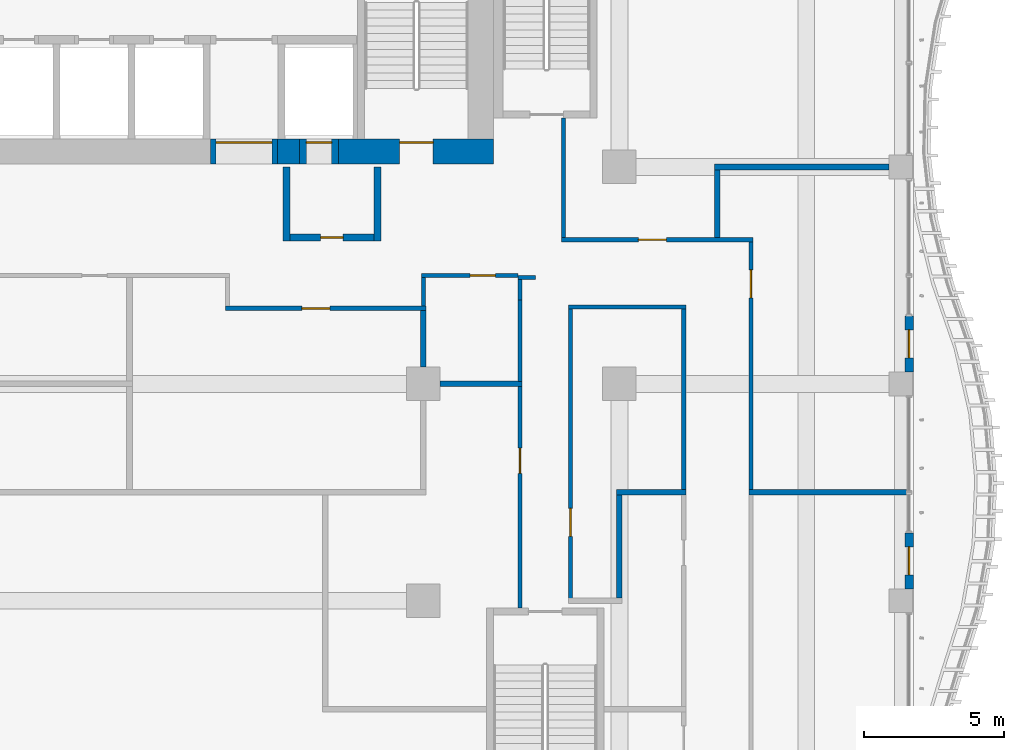
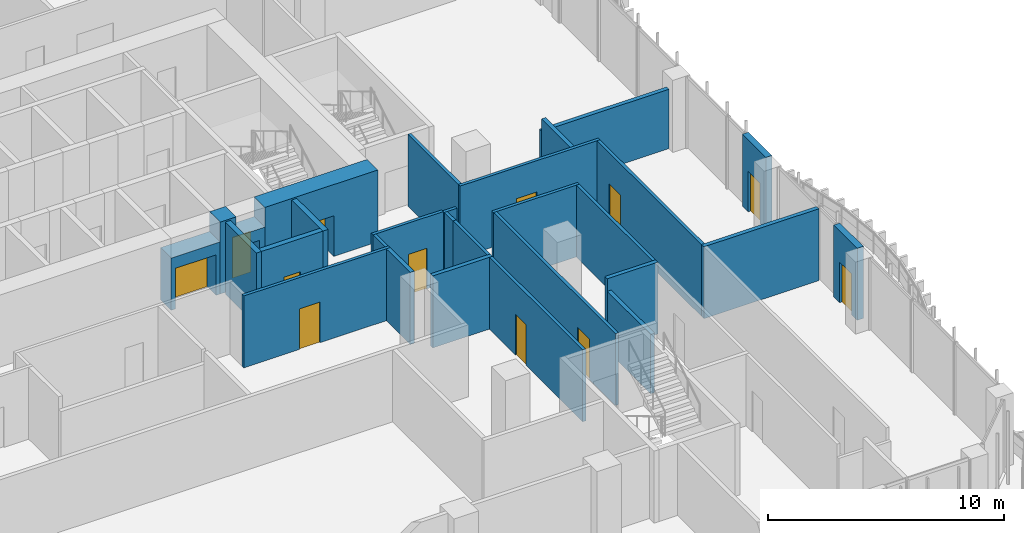
# One storey, part 12 of 25: 29 walls, 12 doors, 12 openings.
"""IFC4 building model written with IfcOpenShell, lengths in metres."""

from ifc_helpers import new_model, si_unit, direction, frame, frame_2d, origin, place, context, subcontext, project, spatial, rectangle, extrude, source, transform, mapped, material, layer, layer_set, type_object, element, fill, save


model = new_model("IFC4")

# Units and contexts
model_context = context("Model", 3, precision=1e-05, world=origin(), true_north=direction((0.0, 1.0)))
body_context = subcontext(model_context, "Body", "Model", "MODEL_VIEW")
ifc_project = project(units=[si_unit("LENGTHUNIT", "METRE"), si_unit("AREAUNIT", "SQUARE_METRE"), si_unit("VOLUMEUNIT", "CUBIC_METRE"), si_unit("PLANEANGLEUNIT", "RADIAN"), si_unit("MASSUNIT", "GRAM", prefix="KILO")], contexts=[model_context])

# Site, building, storey
site_placement = place(None, origin())
site = spatial("IfcSite", under=ifc_project, at=site_placement, CompositionType="ELEMENT")
building_placement = place(site_placement, origin())
building = spatial("IfcBuilding", under=site, at=building_placement, Name="Kilnfold Tower and Market Hall", CompositionType="ELEMENT")
storey_placement = place(building_placement, frame((0.0, 0.0, 120.60009765625)))
storey = spatial("IfcBuildingStorey", under=building, at=storey_placement, Name="L28", CompositionType="ELEMENT", Elevation=120.60009765625)

# Wall, opening, door
ifc_material_1 = material(Name="Gypsum board on steel studs", Category="steel")
ifc_layer_1 = layer(ifc_material_1, 0.14990234375)
ifc_layer_set_1 = layer_set([ifc_layer_1], Name="Gypsum board on steel studs")
wall_type_1 = type_object("IfcWallType", Name="WALL CORRIDOR 150", PredefinedType="PARTITIONING", material=ifc_layer_set_1)
wall_1_placement = place(storey_placement, frame((8.425048828125, 2.949951171875, 0.0), z_axis=(0.0, 0.0, 1.0), x_axis=(1.0, 0.0, 0.0)))
wall_1 = element("IfcWall", 1, at=wall_1_placement, inside=storey, type_object=wall_type_1, Name="Partition LY17.15", PredefinedType="PARTITIONING", context=body_context, shape_type="SweptSolid", body=[
    extrude(rectangle(XDim=7.175048828125, YDim=0.14990234375, at=frame_2d((3.58740234375, 0.0))), origin(), (0.0, 0.0, 1.0), 3.719970703125),
])
opening_1_placement = place(wall_1_placement, frame((2.73291015625, 0.0, 0.0)))
opening_1 = element("IfcOpeningElement", 2, at=opening_1_placement, cuts=wall_1, Name="Opening D1", PredefinedType="OPENING", context=body_context, shape_type="SweptSolid", body=[
    extrude(rectangle(XDim=1.0, YDim=2.10009765625, at=frame_2d((0.5, 1.050048828125))), frame((0.0, 0.0849609375, 0.0), z_axis=(0.0, -1.0, 0.0), x_axis=(1.0, 0.0, 0.0)), (0.0, 0.0, 1.0), 0.169921875),
])
ifc_material_2 = material(Name="Timber veneer door leaf in steel frame", Category="steel")
door_type_1 = type_object("IfcDoorType", Name="DOOR ENTRY 1000 X2100", OperationType="NOTDEFINED", PredefinedType="DOOR", material=ifc_material_2)
door_1_placement = place(opening_1_placement, origin())
door_1 = element("IfcDoor", 3, at=door_1_placement, inside=storey, type_object=door_type_1, Name="Door D1", OperationType="SINGLE_SWING_RIGHT", OverallHeight=2.10009765625, OverallWidth=1.0, PredefinedType="DOOR", context=body_context, shape_type="SweptSolid", body=[
    extrude(rectangle(XDim=1.0, YDim=2.10009765625, at=frame_2d((0.5, 1.050048828125))), frame((0.0, 0.02490234375, 0.0), z_axis=(0.0, -1.0, 0.0), x_axis=(1.0, 0.0, 0.0)), (0.0, 0.0, 1.0), 0.050048828125),
])
fill(opening_1, door_1)

wall_2_placement = place(storey_placement, frame((18.949951171875, -7.75, 0.0), z_axis=(0.0, 0.0, 1.0), x_axis=(0.0, 1.0, 0.0)))
wall_2 = element("IfcWall", 4, at=wall_2_placement, inside=storey, type_object=wall_type_1, Name="Partition LY17.17", PredefinedType="PARTITIONING", context=body_context, shape_type="SweptSolid", body=[
    extrude(rectangle(XDim=7.909912109375, YDim=0.14990234375, at=frame_2d((3.955078125, 0.0))), origin(), (0.0, 0.0, 1.0), 3.719970703125),
])
opening_2_placement = place(wall_2_placement, frame((4.806884765625, 0.0, 0.0)))
opening_2 = element("IfcOpeningElement", 5, at=opening_2_placement, cuts=wall_2, Name="Opening D2", PredefinedType="OPENING", context=body_context, shape_type="SweptSolid", body=[
    extrude(rectangle(XDim=0.89990234375, YDim=2.10009765625, at=frame_2d((0.449951171875, 1.050048828125))), frame((0.0, 0.0849609375, 0.0), z_axis=(0.0, -1.0, 0.0), x_axis=(1.0, 0.0, 0.0)), (0.0, 0.0, 1.0), 0.169921875),
])
ifc_material_3 = material(Name="Timber veneer door leaf in steel frame", Category="steel")
door_type_2 = type_object("IfcDoorType", Name="DOOR ROOM 900 X2100", OperationType="NOTDEFINED", PredefinedType="DOOR", material=ifc_material_3)
door_2_placement = place(opening_2_placement, origin())
door_2 = element("IfcDoor", 6, at=door_2_placement, inside=storey, type_object=door_type_2, Name="Door D2", OperationType="SINGLE_SWING_LEFT", OverallHeight=2.10009765625, OverallWidth=0.89990234375, PredefinedType="DOOR", context=body_context, shape_type="SweptSolid", body=[
    extrude(rectangle(XDim=0.89990234375, YDim=2.10009765625, at=frame_2d((0.449951171875, 1.050048828125))), frame((0.0, 0.02490234375, 0.0), z_axis=(0.0, -1.0, 0.0), x_axis=(1.0, 0.0, 0.0)), (0.0, 0.0, 1.0), 0.050048828125),
])
fill(opening_2, door_2)

# Walls
wall_3_placement = place(storey_placement, frame((24.800048828125, -3.534912109375, 0.0), z_axis=(0.0, 0.0, 1.0), x_axis=(0.0, 1.0, 0.0)))
element("IfcWall", 7, at=wall_3_placement, inside=storey, type_object=wall_type_1, Name="Partition LY17.22", PredefinedType="PARTITIONING", context=body_context, shape_type="SweptSolid", body=[
    extrude(rectangle(XDim=6.4599609375, YDim=0.14990234375, at=frame_2d((3.22998046875, 0.0))), origin(), (0.0, 0.0, 1.0), 3.719970703125),
])
wall_4_placement = place(storey_placement, frame((20.675048828125, 3.0, 0.0), z_axis=(0.0, 0.0, 1.0), x_axis=(1.0, 0.0, 0.0)))
element("IfcWall", 8, at=wall_4_placement, inside=storey, type_object=wall_type_1, Name="Partition LY17.23", PredefinedType="PARTITIONING", context=body_context, shape_type="SweptSolid", body=[
    extrude(rectangle(XDim=4.199951171875, YDim=0.14990234375, at=frame_2d((2.10009765625, 0.0))), origin(), (0.0, 0.0, 1.0), 3.719970703125),
])

# Wall, opening, door
wall_5_placement = place(storey_placement, frame((20.75, -7.409912109375, 0.0), z_axis=(0.0, 0.0, 1.0), x_axis=(0.0, 1.0, 0.0)))
wall_5 = element("IfcWall", 9, at=wall_5_placement, inside=storey, type_object=wall_type_1, Name="Partition LY17.24", PredefinedType="PARTITIONING", context=body_context, shape_type="SweptSolid", body=[
    extrude(rectangle(XDim=10.3349609375, YDim=0.14990234375, at=frame_2d((5.16748046875, 0.0))), origin(), (0.0, 0.0, 1.0), 3.719970703125),
])
opening_3_placement = place(wall_5_placement, frame((2.2080078125, 0.0, 0.0)))
opening_3 = element("IfcOpeningElement", 10, at=opening_3_placement, cuts=wall_5, Name="Opening D1", PredefinedType="OPENING", context=body_context, shape_type="SweptSolid", body=[
    extrude(rectangle(XDim=1.0, YDim=2.10009765625, at=frame_2d((0.5, 1.050048828125))), frame((0.0, 0.0849609375, 0.0), z_axis=(0.0, -1.0, 0.0), x_axis=(1.0, 0.0, 0.0)), (0.0, 0.0, 1.0), 0.169921875),
])
door_3_placement = place(opening_3_placement, origin())
door_3 = element("IfcDoor", 11, at=door_3_placement, inside=storey, type_object=door_type_1, Name="Door D1", OperationType="SINGLE_SWING_LEFT", OverallHeight=2.10009765625, OverallWidth=1.0, PredefinedType="DOOR", context=body_context, shape_type="SweptSolid", body=[
    extrude(rectangle(XDim=1.0, YDim=2.10009765625, at=frame_2d((0.5, 1.050048828125))), frame((0.0, 0.02490234375, 0.0), z_axis=(0.0, -1.0, 0.0), x_axis=(1.0, 0.0, 0.0)), (0.0, 0.0, 1.0), 0.050048828125),
])
fill(opening_3, door_3)

# Walls
wall_6_placement = place(storey_placement, frame((18.949951171875, 0.340087890625, 0.0), z_axis=(0.0, 0.0, 1.0), x_axis=(0.0, 1.0, 0.0)))
element("IfcWall", 12, at=wall_6_placement, inside=storey, type_object=wall_type_1, Name="Partition LY17.25", PredefinedType="PARTITIONING", context=body_context, shape_type="SweptSolid", body=[
    extrude(rectangle(XDim=2.907958984375, YDim=0.14990234375, at=frame_2d((1.4541015625, 0.0))), origin(), (0.0, 0.0, 1.0), 3.719970703125),
])
wall_7_placement = place(storey_placement, frame((18.947998046875, 3.97705078125, 0.0), z_axis=(0.0, 0.0, 1.0), x_axis=(0.0, -1.0, 0.0)))
element("IfcWall", 13, at=wall_7_placement, inside=storey, type_object=wall_type_1, Name="Partition LY17.26", PredefinedType="PARTITIONING", context=body_context, shape_type="SweptSolid", body=[
    extrude(rectangle(XDim=0.72900390625, YDim=0.14990234375, at=frame_2d((0.364501953125, 0.0))), origin(), (0.0, 0.0, 1.0), 3.719970703125),
])
wall_8_placement = place(storey_placement, frame((18.873046875, 4.052001953125, 0.0), z_axis=(0.0, 0.0, 1.0), x_axis=(1.0, 0.0, 0.0)))
element("IfcWall", 14, at=wall_8_placement, inside=storey, type_object=wall_type_1, Name="Partition LY17.27", PredefinedType="PARTITIONING", context=body_context, shape_type="SweptSolid", body=[
    extrude(rectangle(XDim=0.626953125, YDim=0.14990234375, at=frame_2d((0.3134765625, 0.0))), origin(), (0.0, 0.0, 1.0), 3.719970703125),
])

# Wall, opening, door
wall_9_placement = place(storey_placement, frame((15.425048828125, 4.125, 0.0), z_axis=(0.0, 0.0, 1.0), x_axis=(1.0, 0.0, 0.0)))
wall_9 = element("IfcWall", 15, at=wall_9_placement, inside=storey, type_object=wall_type_1, Name="Partition LY17.28", PredefinedType="PARTITIONING", context=body_context, shape_type="SweptSolid", body=[
    extrude(rectangle(XDim=3.447998046875, YDim=0.14990234375, at=frame_2d((1.72412109375, 0.0))), origin(), (0.0, 0.0, 1.0), 3.719970703125),
])
opening_4_placement = place(wall_9_placement, frame((1.741943359375, 0.0, 0.0)))
opening_4 = element("IfcOpeningElement", 16, at=opening_4_placement, cuts=wall_9, Name="Opening D2", PredefinedType="OPENING", context=body_context, shape_type="SweptSolid", body=[
    extrude(rectangle(XDim=0.89990234375, YDim=2.10009765625, at=frame_2d((0.449951171875, 1.050048828125))), frame((0.0, 0.0849609375, 0.0), z_axis=(0.0, -1.0, 0.0), x_axis=(1.0, 0.0, 0.0)), (0.0, 0.0, 1.0), 0.169921875),
])
door_4_placement = place(opening_4_placement, origin())
door_4 = element("IfcDoor", 17, at=door_4_placement, inside=storey, type_object=door_type_2, Name="Door D2", OperationType="SINGLE_SWING_RIGHT", OverallHeight=2.10009765625, OverallWidth=0.89990234375, PredefinedType="DOOR", context=body_context, shape_type="SweptSolid", body=[
    extrude(rectangle(XDim=0.89990234375, YDim=2.10009765625, at=frame_2d((0.449951171875, 1.050048828125))), frame((0.0, 0.02490234375, 0.0), z_axis=(0.0, -1.0, 0.0), x_axis=(1.0, 0.0, 0.0)), (0.0, 0.0, 1.0), 0.050048828125),
])
fill(opening_4, door_4)

# Wall
wall_10_placement = place(storey_placement, frame((15.5, 3.02490234375, 0.0), z_axis=(0.0, 0.0, 1.0), x_axis=(0.0, 1.0, 0.0)))
element("IfcWall", 18, at=wall_10_placement, inside=storey, type_object=wall_type_1, Name="Partition LY17.29", PredefinedType="PARTITIONING", context=body_context, shape_type="SweptSolid", body=[
    extrude(rectangle(XDim=1.025146484375, YDim=0.14990234375, at=frame_2d((0.5126953125, 0.0))), origin(), (0.0, 0.0, 1.0), 3.719970703125),
])

# Wall, opening, door
wall_11_placement = place(storey_placement, frame((27.199951171875, -3.534912109375, 0.0), z_axis=(0.0, 0.0, 1.0), x_axis=(0.0, 1.0, 0.0)))
wall_11 = element("IfcWall", 19, at=wall_11_placement, inside=storey, type_object=wall_type_1, Name="Partition LY17.30", PredefinedType="PARTITIONING", context=body_context, shape_type="SweptSolid", body=[
    extrude(rectangle(XDim=8.85986328125, YDim=0.14990234375, at=frame_2d((4.429931640625, 0.0))), origin(), (0.0, 0.0, 1.0), 3.719970703125),
])
opening_5_placement = place(wall_11_placement, frame((6.85400390625, 0.0, 0.0)))
opening_5 = element("IfcOpeningElement", 20, at=opening_5_placement, cuts=wall_11, Name="Opening D1", PredefinedType="OPENING", context=body_context, shape_type="SweptSolid", body=[
    extrude(rectangle(XDim=1.0, YDim=2.10009765625, at=frame_2d((0.5, 1.050048828125))), frame((0.0, 0.0849609375, 0.0), z_axis=(0.0, -1.0, 0.0), x_axis=(1.0, 0.0, 0.0)), (0.0, 0.0, 1.0), 0.169921875),
])
door_5_placement = place(opening_5_placement, origin())
door_5 = element("IfcDoor", 21, at=door_5_placement, inside=storey, type_object=door_type_1, Name="Door D1", OperationType="SINGLE_SWING_LEFT", OverallHeight=2.10009765625, OverallWidth=1.0, PredefinedType="DOOR", context=body_context, shape_type="SweptSolid", body=[
    extrude(rectangle(XDim=1.0, YDim=2.10009765625, at=frame_2d((0.5, 1.050048828125))), frame((0.0, 0.02490234375, 0.0), z_axis=(0.0, -1.0, 0.0), x_axis=(1.0, 0.0, 0.0)), (0.0, 0.0, 1.0), 0.050048828125),
])
fill(opening_5, door_5)

# Wall
wall_12_placement = place(storey_placement, frame((20.5, 5.47509765625, 0.0), z_axis=(0.0, 0.0, 1.0), x_axis=(0.0, 1.0, 0.0)))
element("IfcWall", 22, at=wall_12_placement, inside=storey, type_object=wall_type_1, Name="Partition LY17.32", PredefinedType="PARTITIONING", context=body_context, shape_type="SweptSolid", body=[
    extrude(rectangle(XDim=4.27490234375, YDim=0.14990234375, at=frame_2d((2.137451171875, 0.0))), origin(), (0.0, 0.0, 1.0), 3.719970703125),
])

# Wall, opening, door
wall_13_placement = place(storey_placement, frame((20.425048828125, 5.39990234375, 0.0), z_axis=(0.0, 0.0, 1.0), x_axis=(1.0, 0.0, 0.0)))
wall_13 = element("IfcWall", 23, at=wall_13_placement, inside=storey, type_object=wall_type_1, Name="Partition LY17.33", PredefinedType="PARTITIONING", context=body_context, shape_type="SweptSolid", body=[
    extrude(rectangle(XDim=6.849853515625, YDim=0.14990234375, at=frame_2d((3.4248046875, 0.0))), origin(), (0.0, 0.0, 1.0), 3.719970703125),
])
opening_6_placement = place(wall_13_placement, frame((2.751953125, 0.0, 0.0)))
opening_6 = element("IfcOpeningElement", 24, at=opening_6_placement, cuts=wall_13, Name="Opening D1", PredefinedType="OPENING", context=body_context, shape_type="SweptSolid", body=[
    extrude(rectangle(XDim=1.0, YDim=2.10009765625, at=frame_2d((0.5, 1.050048828125))), frame((0.0, 0.0849609375, 0.0), z_axis=(0.0, -1.0, 0.0), x_axis=(1.0, 0.0, 0.0)), (0.0, 0.0, 1.0), 0.169921875),
])
door_6_placement = place(opening_6_placement, origin())
door_6 = element("IfcDoor", 25, at=door_6_placement, inside=storey, type_object=door_type_1, Name="Door D1", OperationType="SINGLE_SWING_LEFT", OverallHeight=2.10009765625, OverallWidth=1.0, PredefinedType="DOOR", context=body_context, shape_type="SweptSolid", body=[
    extrude(rectangle(XDim=1.0, YDim=2.10009765625, at=frame_2d((0.5, 1.050048828125))), frame((0.0, 0.02490234375, 0.0), z_axis=(0.0, -1.0, 0.0), x_axis=(1.0, 0.0, 0.0)), (0.0, 0.0, 1.0), 0.050048828125),
])
fill(opening_6, door_6)

# Walls
ifc_material_4 = material(Name="Gypsum board on steel studs", Category="steel")
ifc_layer_2 = layer(ifc_material_4, 0.199951171875)
ifc_layer_set_2 = layer_set([ifc_layer_2], Name="Gypsum board on steel studs")
wall_type_2 = type_object("IfcWallType", Name="WALL PARTY 200", PredefinedType="PARTITIONING", material=ifc_layer_set_2)
wall_14_placement = place(storey_placement, frame((15.5, 0.85009765625, 0.0), z_axis=(0.0, 0.0, 1.0), x_axis=(0.0, 1.0, 0.0)))
element("IfcWall", 26, at=wall_14_placement, inside=storey, type_object=wall_type_2, Name="Partition LY17.56", PredefinedType="PARTITIONING", context=body_context, shape_type="SweptSolid", body=[
    extrude(rectangle(XDim=2.02392578125, YDim=0.199951171875, at=frame_2d((1.011962890625, 0.0))), origin(), (0.0, 0.0, 1.0), 3.719970703125),
])
wall_15_placement = place(storey_placement, frame((16.10009765625, 0.25, 0.0), z_axis=(0.0, 0.0, 1.0), x_axis=(1.0, 0.0, 0.0)))
element("IfcWall", 27, at=wall_15_placement, inside=storey, type_object=wall_type_2, Name="Partition LY17.57", PredefinedType="PARTITIONING", context=body_context, shape_type="SweptSolid", body=[
    extrude(rectangle(XDim=2.923828125, YDim=0.199951171875, at=frame_2d((1.4619140625, 0.0))), origin(), (0.0, 0.0, 1.0), 3.719970703125),
])
wall_16_placement = place(storey_placement, frame((27.1259765625, -3.625, 0.0), z_axis=(0.0, 0.0, 1.0), x_axis=(1.0, 0.0, 0.0)))
element("IfcWall", 28, at=wall_16_placement, inside=storey, type_object=wall_type_2, Name="Partition LY17.60", PredefinedType="PARTITIONING", context=body_context, shape_type="SweptSolid", body=[
    extrude(rectangle(XDim=5.6240234375, YDim=0.199951171875, at=frame_2d((2.81201171875, 0.0))), origin(), (0.0, 0.0, 1.0), 3.719970703125),
])
wall_17_placement = place(storey_placement, frame((22.5, -3.72509765625, 0.0), z_axis=(0.0, 0.0, 1.0), x_axis=(0.0, -1.0, 0.0)))
element("IfcWall", 29, at=wall_17_placement, inside=storey, type_object=wall_type_2, Name="Partition LY17.62", PredefinedType="PARTITIONING", context=body_context, shape_type="SweptSolid", body=[
    extrude(rectangle(XDim=3.6748046875, YDim=0.199951171875, at=frame_2d((1.83740234375, 0.0))), origin(), (0.0, 0.0, 1.0), 3.06982421875),
])
wall_18_placement = place(storey_placement, frame((22.39990234375, -3.625, 0.0), z_axis=(0.0, 0.0, 1.0), x_axis=(1.0, 0.0, 0.0)))
element("IfcWall", 30, at=wall_18_placement, inside=storey, type_object=wall_type_2, Name="Partition LY17.63", PredefinedType="PARTITIONING", context=body_context, shape_type="SweptSolid", body=[
    extrude(rectangle(XDim=2.47412109375, YDim=0.199951171875, at=frame_2d((1.237060546875, 0.0))), origin(), (0.0, 0.0, 1.0), 3.719970703125),
])
wall_19_placement = place(storey_placement, frame((26.0, 5.47607421875, 0.0), z_axis=(0.0, 0.0, 1.0), x_axis=(0.0, 1.0, 0.0)))
element("IfcWall", 31, at=wall_19_placement, inside=storey, type_object=wall_type_2, Name="Partition LY17.64", PredefinedType="PARTITIONING", context=body_context, shape_type="SweptSolid", body=[
    extrude(rectangle(XDim=2.423828125, YDim=0.199951171875, at=frame_2d((1.2119140625, 0.0))), origin(), (0.0, 0.0, 1.0), 3.719970703125),
])
wall_20_placement = place(storey_placement, frame((25.89990234375, 8.0, 0.0), z_axis=(0.0, 0.0, 1.0), x_axis=(1.0, 0.0, 0.0)))
element("IfcWall", 32, at=wall_20_placement, inside=storey, type_object=wall_type_2, Name="Partition LY17.65", PredefinedType="PARTITIONING", context=body_context, shape_type="SweptSolid", body=[
    extrude(rectangle(XDim=6.22509765625, YDim=0.199951171875, at=frame_2d((3.112548828125, 0.0))), origin(), (0.0, 0.0, 1.0), 3.06982421875),
])
ifc_material_5 = material(Name="Concrete C70", Category="concrete")
ifc_layer_3 = layer(ifc_material_5, 0.89990234375)
ifc_layer_set_3 = layer_set([ifc_layer_3], Name="Concrete C70")
wall_type_3 = type_object("IfcWallType", Name="CORE WALL 900 C70", PredefinedType="SHEAR", material=ifc_layer_set_3)
shared_shape_1 = source(origin(), body_context, "Body", "SweptSolid", [
    extrude(rectangle(XDim=0.780029296875, YDim=0.89990234375, at=frame_2d((0.39013671875, 0.0))), origin(), (0.0, 0.0, 1.0), 3.719970703125),
])
wall_21_placement = place(storey_placement, frame((10.2900390625, 8.550048828125, 0.0), z_axis=(0.0, 0.0, 1.0), x_axis=(1.0, 0.0, 0.0)))
element("IfcWall", 33, at=wall_21_placement, inside=storey, type_object=wall_type_3, Name="Core outer wall south", PredefinedType="SHEAR", context=body_context, shape_type="MappedRepresentation", body=[
    mapped(shared_shape_1, transform((0.0, 0.0, 0.0))),
])

# Wall, opening, door
shared_shape_2 = source(origin(), body_context, "Body", "SweptSolid", [
    extrude(rectangle(XDim=5.530029296875, YDim=0.89990234375, at=frame_2d((2.76513671875, 0.0))), origin(), (0.0, 0.0, 1.0), 3.719970703125),
])
wall_22_placement = place(storey_placement, frame((12.469970703125, 8.550048828125, 0.0), z_axis=(0.0, 0.0, 1.0), x_axis=(1.0, 0.0, 0.0)))
wall_22 = element("IfcWall", 34, at=wall_22_placement, inside=storey, type_object=wall_type_3, Name="Core outer wall south", PredefinedType="SHEAR", context=body_context, shape_type="MappedRepresentation", body=[
    mapped(shared_shape_2, transform((0.0, 0.0, 0.0))),
])
opening_7_placement = place(wall_22_placement, frame((2.179931640625, 0.0, 0.0)))
opening_7 = element("IfcOpeningElement", 35, at=opening_7_placement, cuts=wall_22, Name="Opening SD1", PredefinedType="OPENING", context=body_context, shape_type="SweptSolid", body=[
    extrude(rectangle(XDim=1.199951171875, YDim=2.10009765625, at=frame_2d((0.60009765625, 1.050048828125))), frame((0.0, 0.4599609375, 0.0), z_axis=(0.0, -1.0, 0.0), x_axis=(1.0, 0.0, 0.0)), (0.0, 0.0, 1.0), 0.919921875),
])
ifc_material_6 = material(Name="Steel door set with fire-resisting leaf", Category="steel")
door_type_3 = type_object("IfcDoorType", Name="STAIR FLOOR DOOR 1200X2100", OperationType="NOTDEFINED", PredefinedType="DOOR", material=ifc_material_6)
door_7_placement = place(opening_7_placement, origin())
door_7 = element("IfcDoor", 36, at=door_7_placement, inside=storey, type_object=door_type_3, Name="Exit stair ST2 door", OperationType="DOUBLE_DOOR_SINGLE_SWING", OverallHeight=2.10009765625, OverallWidth=1.199951171875, PredefinedType="DOOR", context=body_context, shape_type="SweptSolid", body=[
    extrude(rectangle(XDim=1.199951171875, YDim=2.10009765625, at=frame_2d((0.60009765625, 1.050048828125))), frame((0.0, 0.35498046875, 0.0), z_axis=(0.0, -1.0, 0.0), x_axis=(1.0, 0.0, 0.0)), (0.0, 0.0, 1.0), 0.050048828125),
])
fill(opening_7, door_7)

ifc_material_7 = material(Name="Precast concrete C50/60", Category="concrete")
ifc_layer_4 = layer(ifc_material_7, 0.300048828125)
ifc_layer_set_4 = layer_set([ifc_layer_4], Name="Precast concrete C50/60")
wall_type_4 = type_object("IfcWallType", Name="PRECAST WALL 300", PredefinedType="SOLIDWALL", material=ifc_layer_set_4)
shared_shape_3 = source(origin(), body_context, "Body", "SweptSolid", [
    extrude(rectangle(XDim=2.0, YDim=0.300048828125, at=frame_2d((1.0, 0.0))), origin(), (0.0, 0.0, 1.0), 3.719970703125),
])
wall_23_placement = place(storey_placement, frame((32.85009765625, -7.074951171875, 0.0), z_axis=(0.0, 0.0, 1.0), x_axis=(0.0, 1.0, 0.0)))
wall_23 = element("IfcWall", 37, at=wall_23_placement, inside=storey, type_object=wall_type_4, Name="External wall L28 E", PredefinedType="SOLIDWALL", context=body_context, shape_type="MappedRepresentation", body=[
    mapped(shared_shape_3, transform((0.0, 0.0, 0.0))),
])
opening_8_placement = place(wall_23_placement, frame((0.5, 0.0, 0.0)))
opening_8 = element("IfcOpeningElement", 38, at=opening_8_placement, cuts=wall_23, Name="Opening BD1", PredefinedType="OPENING", context=body_context, shape_type="SweptSolid", body=[
    extrude(rectangle(XDim=1.0, YDim=2.10009765625, at=frame_2d((0.5, 1.050048828125))), frame((0.0, 0.16015625, 0.0), z_axis=(0.0, -1.0, 0.0), x_axis=(1.0, 0.0, 0.0)), (0.0, 0.0, 1.0), 0.320068359375),
])
ifc_material_8 = material(Name="Aluminium frame and double glazing", Category="aluminium")
door_type_4 = type_object("IfcDoorType", Name="BALCONY DOOR 1000X2100", OperationType="NOTDEFINED", PredefinedType="DOOR", material=ifc_material_8)
door_8_placement = place(opening_8_placement, origin())
door_8 = element("IfcDoor", 39, at=door_8_placement, inside=storey, type_object=door_type_4, Name="Balcony door BD1 L28 E-1", OperationType="SINGLE_SWING_LEFT", OverallHeight=2.10009765625, OverallWidth=1.0, PredefinedType="DOOR", context=body_context, shape_type="SweptSolid", body=[
    extrude(rectangle(XDim=1.0, YDim=2.10009765625, at=frame_2d((0.5, 1.050048828125))), frame((0.0, 0.02490234375, 0.0), z_axis=(0.0, -1.0, 0.0), x_axis=(1.0, 0.0, 0.0)), (0.0, 0.0, 1.0), 0.050048828125),
])
fill(opening_8, door_8)

wall_24_placement = place(storey_placement, frame((32.85009765625, 0.675048828125, 0.0), z_axis=(0.0, 0.0, 1.0), x_axis=(0.0, 1.0, 0.0)))
wall_24 = element("IfcWall", 40, at=wall_24_placement, inside=storey, type_object=wall_type_4, Name="External wall L28 E", PredefinedType="SOLIDWALL", context=body_context, shape_type="MappedRepresentation", body=[
    mapped(shared_shape_3, transform((0.0, 0.0, 0.0))),
])
opening_9_placement = place(wall_24_placement, frame((0.5, 0.0, 0.0)))
opening_9 = element("IfcOpeningElement", 41, at=opening_9_placement, cuts=wall_24, Name="Opening BD1", PredefinedType="OPENING", context=body_context, shape_type="SweptSolid", body=[
    extrude(rectangle(XDim=1.0, YDim=2.10009765625, at=frame_2d((0.5, 1.050048828125))), frame((0.0, 0.16015625, 0.0), z_axis=(0.0, -1.0, 0.0), x_axis=(1.0, 0.0, 0.0)), (0.0, 0.0, 1.0), 0.320068359375),
])
door_9_placement = place(opening_9_placement, origin())
door_9 = element("IfcDoor", 42, at=door_9_placement, inside=storey, type_object=door_type_4, Name="Balcony door BD1 L28 E-1", OperationType="SINGLE_SWING_LEFT", OverallHeight=2.10009765625, OverallWidth=1.0, PredefinedType="DOOR", context=body_context, shape_type="SweptSolid", body=[
    extrude(rectangle(XDim=1.0, YDim=2.10009765625, at=frame_2d((0.5, 1.050048828125))), frame((0.0, 0.02490234375, 0.0), z_axis=(0.0, -1.0, 0.0), x_axis=(1.0, 0.0, 0.0)), (0.0, 0.0, 1.0), 0.050048828125),
])
fill(opening_9, door_9)

# Walls
ifc_material_9 = material(Name="Gypsum shaft wall system")
ifc_layer_5 = layer(ifc_material_9, 0.25)
ifc_layer_set_5 = layer_set([ifc_layer_5], Name="Gypsum shaft wall system")
wall_type_5 = type_object("IfcWallType", Name="LOBBY WALL 250", PredefinedType="PARTITIONING", material=ifc_layer_set_5)
shared_shape_4 = source(origin(), body_context, "Body", "SweptSolid", [
    extrude(rectangle(XDim=2.64990234375, YDim=0.25, at=frame_2d((1.324951171875, 0.0))), origin(), (0.0, 0.0, 1.0), 3.719970703125),
])
for number, where, z_axis, x_axis, name in (
    (43, (10.60498046875, 5.35009765625, 0.0), (0.0, 0.0, 1.0), (0.0, 1.0, 0.0), "Firefighting lobby wall"),
    (44, (13.85498046875, 5.35009765625, 0.0), (0.0, 0.0, 1.0), (0.0, 1.0, 0.0), "Firefighting lobby wall"),
):
    element("IfcWall", number, at=place(storey_placement, frame(where, z_axis=z_axis, x_axis=x_axis)), inside=storey, type_object=wall_type_5, Name=name, PredefinedType="PARTITIONING", context=body_context, shape_type="MappedRepresentation", body=[
        mapped(shared_shape_4, transform((0.0, 0.0, 0.0))),
    ])

# Wall, opening, door
shared_shape_5 = source(origin(), body_context, "Body", "SweptSolid", [
    extrude(rectangle(XDim=3.0, YDim=0.25, at=frame_2d((1.5, 0.0))), origin(), (0.0, 0.0, 1.0), 3.719970703125),
])
wall_25_placement = place(storey_placement, frame((10.72998046875, 5.47509765625, 0.0), z_axis=(0.0, 0.0, 1.0), x_axis=(1.0, 0.0, 0.0)))
wall_25 = element("IfcWall", 45, at=wall_25_placement, inside=storey, type_object=wall_type_5, Name="Firefighting lobby wall", PredefinedType="PARTITIONING", context=body_context, shape_type="MappedRepresentation", body=[
    mapped(shared_shape_5, transform((0.0, 0.0, 0.0))),
])
opening_10_placement = place(wall_25_placement, frame((1.10009765625, 0.0, 0.0)))
opening_10 = element("IfcOpeningElement", 46, at=opening_10_placement, cuts=wall_25, Name="Opening VD1", PredefinedType="OPENING", context=body_context, shape_type="SweptSolid", body=[
    extrude(rectangle(XDim=0.800048828125, YDim=2.0, at=frame_2d((0.39990234375, 1.0))), frame((0.0, 0.135009765625, 0.0), z_axis=(0.0, -1.0, 0.0), x_axis=(1.0, 0.0, 0.0)), (0.0, 0.0, 1.0), 0.27001953125),
])
ifc_material_10 = material(Name="Steel door set with fire-resisting leaf", Category="steel")
door_type_5 = type_object("IfcDoorType", Name="FIREFIGHTING LOBBY DOOR 800X2000", OperationType="NOTDEFINED", PredefinedType="DOOR", material=ifc_material_10)
door_10_placement = place(opening_10_placement, origin())
door_10 = element("IfcDoor", 47, at=door_10_placement, inside=storey, type_object=door_type_5, Name="Firefighting lobby door", OperationType="SINGLE_SWING_RIGHT", OverallHeight=2.0, OverallWidth=0.800048828125, PredefinedType="DOOR", context=body_context, shape_type="SweptSolid", body=[
    extrude(rectangle(XDim=0.800048828125, YDim=2.0, at=frame_2d((0.39990234375, 1.0))), frame((0.0, 0.02490234375, 0.0), z_axis=(0.0, -1.0, 0.0), x_axis=(1.0, 0.0, 0.0)), (0.0, 0.0, 1.0), 0.050048828125),
])
fill(opening_10, door_10)

ifc_material_11 = material(Name="Gypsum shaft wall system")
ifc_layer_6 = layer(ifc_material_11, 0.89990234375)
ifc_layer_set_6 = layer_set([ifc_layer_6], Name="Gypsum shaft wall system")
wall_type_6 = type_object("IfcWallType", Name="LOBBY WALL 900", PredefinedType="PARTITIONING", material=ifc_layer_set_6)
shared_shape_6 = source(origin(), body_context, "Body", "SweptSolid", [
    extrude(rectangle(XDim=1.39990234375, YDim=0.89990234375, at=frame_2d((0.699951171875, 0.0))), origin(), (0.0, 0.0, 1.0), 2.699951171875),
])
wall_26_placement = place(storey_placement, frame((11.070068359375, 8.550048828125, 0.0), z_axis=(0.0, 0.0, 1.0), x_axis=(1.0, 0.0, 0.0)))
wall_26 = element("IfcWall", 48, at=wall_26_placement, inside=storey, type_object=wall_type_6, Name="Core wall infill", PredefinedType="PARTITIONING", context=body_context, shape_type="MappedRepresentation", body=[
    mapped(shared_shape_6, transform((0.0, 0.0, 0.0))),
])
opening_11_placement = place(wall_26_placement, frame((0.25, 0.0, 0.0)))
opening_11 = element("IfcOpeningElement", 49, at=opening_11_placement, cuts=wall_26, Name="Opening LD1", PredefinedType="OPENING", context=body_context, shape_type="SweptSolid", body=[
    extrude(rectangle(XDim=0.89990234375, YDim=2.10009765625, at=frame_2d((0.449951171875, 1.050048828125))), frame((0.0, 0.4599609375, 0.0), z_axis=(0.0, -1.0, 0.0), x_axis=(1.0, 0.0, 0.0)), (0.0, 0.0, 1.0), 0.919921875),
])
ifc_material_12 = material(Name="Steel door set with fire-resisting leaf", Category="steel")
door_type_6 = type_object("IfcDoorType", Name="FIREFIGHTING LANDING DOOR 900X2100", OperationType="NOTDEFINED", PredefinedType="DOOR", material=ifc_material_12)
door_11_placement = place(opening_11_placement, origin())
door_11 = element("IfcDoor", 50, at=door_11_placement, inside=storey, type_object=door_type_6, Name="Landing door FF3", OperationType="SLIDING_TO_LEFT", OverallHeight=2.10009765625, OverallWidth=0.89990234375, PredefinedType="DOOR", context=body_context, shape_type="SweptSolid", body=[
    extrude(rectangle(XDim=0.89990234375, YDim=2.10009765625, at=frame_2d((0.449951171875, 1.050048828125))), frame((0.0, 0.35498046875, 0.0), z_axis=(0.0, -1.0, 0.0), x_axis=(1.0, 0.0, 0.0)), (0.0, 0.0, 1.0), 0.050048828125),
])
fill(opening_11, door_11)

shared_shape_7 = source(origin(), body_context, "Body", "SweptSolid", [
    extrude(rectangle(XDim=2.400146484375, YDim=0.89990234375, at=frame_2d((1.2001953125, 0.0))), origin(), (0.0, 0.0, 1.0), 2.699951171875),
])
wall_27_placement = place(storey_placement, frame((7.889892578125, 8.550048828125, 0.0), z_axis=(0.0, 0.0, 1.0), x_axis=(1.0, 0.0, 0.0)))
wall_27 = element("IfcWall", 51, at=wall_27_placement, inside=storey, type_object=wall_type_6, Name="Core wall infill", PredefinedType="PARTITIONING", context=body_context, shape_type="MappedRepresentation", body=[
    mapped(shared_shape_7, transform((0.0, 0.0, 0.0))),
])
opening_12_placement = place(wall_27_placement, frame((0.199951171875, 0.0, 0.0)))
opening_12 = element("IfcOpeningElement", 52, at=opening_12_placement, cuts=wall_27, Name="Opening VD2", PredefinedType="OPENING", context=body_context, shape_type="SweptSolid", body=[
    extrude(rectangle(XDim=2.0, YDim=2.10009765625, at=frame_2d((1.0, 1.050048828125))), frame((0.0, 0.4599609375, 0.0), z_axis=(0.0, -1.0, 0.0), x_axis=(1.0, 0.0, 0.0)), (0.0, 0.0, 1.0), 0.919921875),
])
ifc_material_13 = material(Name="Steel door set with fire-resisting leaf", Category="steel")
door_type_7 = type_object("IfcDoorType", Name="LIFT LOBBY ENTRANCE DOOR 2000X2100", OperationType="NOTDEFINED", PredefinedType="DOOR", material=ifc_material_13)
door_12_placement = place(opening_12_placement, origin())
door_12 = element("IfcDoor", 53, at=door_12_placement, inside=storey, type_object=door_type_7, Name="Lift lobby entrance door", OperationType="DOUBLE_DOOR_SINGLE_SWING", OverallHeight=2.10009765625, OverallWidth=2.0, PredefinedType="DOOR", context=body_context, shape_type="SweptSolid", body=[
    extrude(rectangle(XDim=2.0, YDim=2.10009765625, at=frame_2d((1.0, 1.050048828125))), frame((0.0, 0.35498046875, 0.0), z_axis=(0.0, -1.0, 0.0), x_axis=(1.0, 0.0, 0.0)), (0.0, 0.0, 1.0), 0.050048828125),
])
fill(opening_12, door_12)

save(model, "model.ifc")
